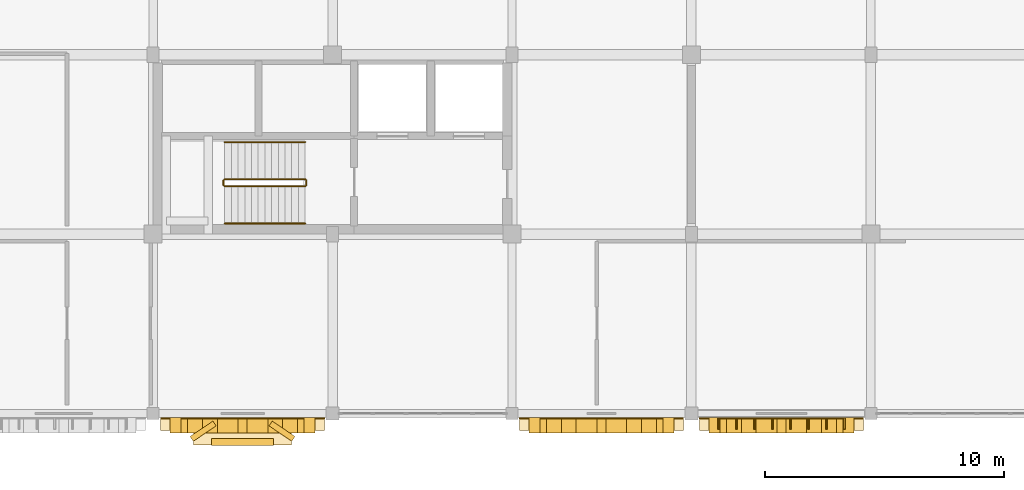
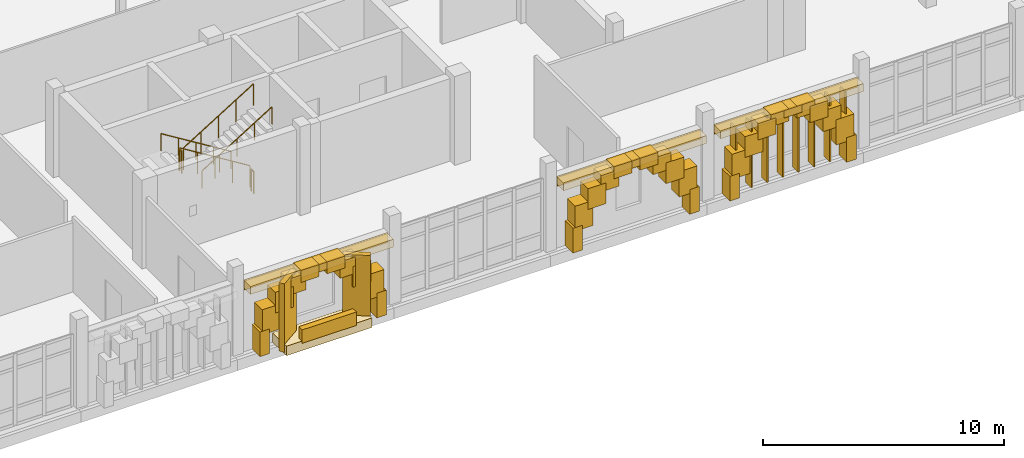
# One storey, part 122 of 128: 43 coverings, 8 shading devices, 6 railings.
"""IFC4 building model written with IfcOpenShell, lengths in metres."""

from ifc_helpers import new_model, si_unit, direction, frame, origin, origin_2d, place, context, subcontext, project, spatial, rectangle, circle, extrude, material, layer, layer_set, type_object, element, save


model = new_model("IFC4")

# Units and contexts
model_context = context("Model", 3, precision=1e-05, world=origin(), true_north=direction((0.0, 1.0)))
body_context = subcontext(model_context, "Body", "Model", "MODEL_VIEW")
ifc_project = project(units=[si_unit("LENGTHUNIT", "METRE"), si_unit("AREAUNIT", "SQUARE_METRE"), si_unit("VOLUMEUNIT", "CUBIC_METRE"), si_unit("PLANEANGLEUNIT", "RADIAN"), si_unit("MASSUNIT", "GRAM", prefix="KILO")], contexts=[model_context])

# Site, building, storey
site_placement = place(None, origin())
site = spatial("IfcSite", under=ifc_project, at=site_placement, CompositionType="ELEMENT")
building_placement = place(site_placement, origin())
building = spatial("IfcBuilding", under=site, at=building_placement, Name="Dalvernix Boulevard General Hospital", CompositionType="ELEMENT")
storey_placement = place(building_placement, frame((0.0, 0.0, 4.800048828125)))
storey = spatial("IfcBuildingStorey", under=building, at=storey_placement, Name="L01", CompositionType="ELEMENT", Elevation=4.800048828125)

# Coverings
ifc_material_1 = material(Name="Pressed Catalan clay brick and dressed limestone parabolic archivolt", Category="masonry")
ifc_layer_1 = layer(ifc_material_1, 0.419921875)
ifc_layer_set_1 = layer_set([ifc_layer_1], Name="Pressed Catalan clay brick and dressed limestone parabolic archivolt (COV-ARC-01)")
covering_type_1 = type_object("IfcCoveringType", Name="COV-ARC-01", PredefinedType="CLADDING", material=ifc_layer_set_1)
for number, where, z_axis, x_axis, name in (
    (1, (134.03759765625, -0.485107421875, 0.0), (0.0, 0.0, 1.0), (-1.0, 0.0, 0.0), "L01 Catalan parabolic arch impost pier S 17-0-L"),
    (2, (128.4375, -0.485107421875, 0.0), (0.0, 0.0, 1.0), (-1.0, 0.0, 0.0), "L01 Catalan parabolic arch impost pier S 17-0-R"),
):
    element("IfcCovering", number, at=place(storey_placement, frame(where, z_axis=z_axis, x_axis=x_axis)), inside=storey, type_object=covering_type_1, Name=name, PredefinedType="CLADDING", context=body_context, shape_type="SweptSolid", body=[
        extrude(rectangle(XDim=0.4599609375, YDim=0.659912109375, at=origin_2d()), origin(), (0.0, 0.0, 1.0), 1.25),
    ])
covering_1_placement = place(storey_placement, frame((133.726318359375, -0.485107421875, 1.06005859375), z_axis=(0.0, 0.0, 1.0), x_axis=(-1.0, 0.0, 0.0)))
element("IfcCovering", 3, at=covering_1_placement, inside=storey, type_object=covering_type_1, Name="L01 Catalan parabolic archivolt voussoir S 17-0-1", PredefinedType="CLADDING", context=body_context, shape_type="SweptSolid", body=[
    extrude(rectangle(XDim=0.8623046875, YDim=0.659912109375, at=origin_2d()), origin(), (0.0, 0.0, 1.0), 1.272705078125),
])
covering_2_placement = place(storey_placement, frame((133.104248046875, -0.485107421875, 1.95263671875), z_axis=(0.0, 0.0, 1.0), x_axis=(-1.0, 0.0, 0.0)))
element("IfcCovering", 4, at=covering_2_placement, inside=storey, type_object=covering_type_1, Name="L01 Catalan parabolic archivolt voussoir S 17-0-2", PredefinedType="CLADDING", context=body_context, shape_type="SweptSolid", body=[
    extrude(rectangle(XDim=0.8623046875, YDim=0.659912109375, at=origin_2d()), origin(), (0.0, 0.0, 1.0), 1.049560546875),
])
covering_3_placement = place(storey_placement, frame((132.48193359375, -0.485107421875, 2.62255859375), z_axis=(0.0, 0.0, 1.0), x_axis=(-1.0, 0.0, 0.0)))
element("IfcCovering", 5, at=covering_3_placement, inside=storey, type_object=covering_type_1, Name="L01 Catalan parabolic archivolt voussoir S 17-0-3", PredefinedType="CLADDING", context=body_context, shape_type="SweptSolid", body=[
    extrude(rectangle(XDim=0.8623046875, YDim=0.659912109375, at=origin_2d()), origin(), (0.0, 0.0, 1.0), 0.826416015625),
])
covering_4_placement = place(storey_placement, frame((131.859619140625, -0.485107421875, 3.06884765625), z_axis=(0.0, 0.0, 1.0), x_axis=(-1.0, 0.0, 0.0)))
element("IfcCovering", 6, at=covering_4_placement, inside=storey, type_object=covering_type_1, Name="L01 Catalan parabolic archivolt voussoir S 17-0-4", PredefinedType="CLADDING", context=body_context, shape_type="SweptSolid", body=[
    extrude(rectangle(XDim=0.8623046875, YDim=0.659912109375, at=origin_2d()), origin(), (0.0, 0.0, 1.0), 0.603271484375),
])
covering_5_placement = place(storey_placement, frame((131.237548828125, -0.485107421875, 3.2919921875), z_axis=(0.0, 0.0, 1.0), x_axis=(-1.0, 0.0, 0.0)))
element("IfcCovering", 7, at=covering_5_placement, inside=storey, type_object=covering_type_1, Name="L01 Catalan parabolic archivolt voussoir S 17-0-5", PredefinedType="CLADDING", context=body_context, shape_type="SweptSolid", body=[
    extrude(rectangle(XDim=0.8623046875, YDim=0.659912109375, at=origin_2d()), origin(), (0.0, 0.0, 1.0), 0.3798828125),
])
covering_6_placement = place(storey_placement, frame((130.615234375, -0.485107421875, 3.06884765625), z_axis=(0.0, 0.0, 1.0), x_axis=(-1.0, 0.0, 0.0)))
element("IfcCovering", 8, at=covering_6_placement, inside=storey, type_object=covering_type_1, Name="L01 Catalan parabolic archivolt voussoir S 17-0-6", PredefinedType="CLADDING", context=body_context, shape_type="SweptSolid", body=[
    extrude(rectangle(XDim=0.8623046875, YDim=0.659912109375, at=origin_2d()), origin(), (0.0, 0.0, 1.0), 0.603271484375),
])
covering_7_placement = place(storey_placement, frame((129.9931640625, -0.485107421875, 2.62255859375), z_axis=(0.0, 0.0, 1.0), x_axis=(-1.0, 0.0, 0.0)))
element("IfcCovering", 9, at=covering_7_placement, inside=storey, type_object=covering_type_1, Name="L01 Catalan parabolic archivolt voussoir S 17-0-7", PredefinedType="CLADDING", context=body_context, shape_type="SweptSolid", body=[
    extrude(rectangle(XDim=0.8623046875, YDim=0.659912109375, at=origin_2d()), origin(), (0.0, 0.0, 1.0), 0.826416015625),
])
covering_8_placement = place(storey_placement, frame((129.370849609375, -0.485107421875, 1.95263671875), z_axis=(0.0, 0.0, 1.0), x_axis=(-1.0, 0.0, 0.0)))
element("IfcCovering", 10, at=covering_8_placement, inside=storey, type_object=covering_type_1, Name="L01 Catalan parabolic archivolt voussoir S 17-0-8", PredefinedType="CLADDING", context=body_context, shape_type="SweptSolid", body=[
    extrude(rectangle(XDim=0.8623046875, YDim=0.659912109375, at=origin_2d()), origin(), (0.0, 0.0, 1.0), 1.049560546875),
])
covering_9_placement = place(storey_placement, frame((128.74853515625, -0.485107421875, 1.06005859375), z_axis=(0.0, 0.0, 1.0), x_axis=(-1.0, 0.0, 0.0)))
element("IfcCovering", 11, at=covering_9_placement, inside=storey, type_object=covering_type_1, Name="L01 Catalan parabolic archivolt voussoir S 17-0-9", PredefinedType="CLADDING", context=body_context, shape_type="SweptSolid", body=[
    extrude(rectangle(XDim=0.8623046875, YDim=0.659912109375, at=origin_2d()), origin(), (0.0, 0.0, 1.0), 1.272705078125),
])
for number, where, z_axis, x_axis, name in (
    (12, (149.03759765625, -0.485107421875, 0.0), (0.0, 0.0, 1.0), (-1.0, 0.0, 0.0), "L01 Catalan parabolic arch impost pier S 19-0-L"),
    (13, (143.4375, -0.485107421875, 0.0), (0.0, 0.0, 1.0), (-1.0, 0.0, 0.0), "L01 Catalan parabolic arch impost pier S 19-0-R"),
):
    element("IfcCovering", number, at=place(storey_placement, frame(where, z_axis=z_axis, x_axis=x_axis)), inside=storey, type_object=covering_type_1, Name=name, PredefinedType="CLADDING", context=body_context, shape_type="SweptSolid", body=[
        extrude(rectangle(XDim=0.4599609375, YDim=0.659912109375, at=origin_2d()), origin(), (0.0, 0.0, 1.0), 1.25),
    ])
covering_10_placement = place(storey_placement, frame((148.726318359375, -0.485107421875, 1.06005859375), z_axis=(0.0, 0.0, 1.0), x_axis=(-1.0, 0.0, 0.0)))
element("IfcCovering", 14, at=covering_10_placement, inside=storey, type_object=covering_type_1, Name="L01 Catalan parabolic archivolt voussoir S 19-0-1", PredefinedType="CLADDING", context=body_context, shape_type="SweptSolid", body=[
    extrude(rectangle(XDim=0.8623046875, YDim=0.659912109375, at=origin_2d()), origin(), (0.0, 0.0, 1.0), 1.272705078125),
])
covering_11_placement = place(storey_placement, frame((148.104248046875, -0.485107421875, 1.95263671875), z_axis=(0.0, 0.0, 1.0), x_axis=(-1.0, 0.0, 0.0)))
element("IfcCovering", 15, at=covering_11_placement, inside=storey, type_object=covering_type_1, Name="L01 Catalan parabolic archivolt voussoir S 19-0-2", PredefinedType="CLADDING", context=body_context, shape_type="SweptSolid", body=[
    extrude(rectangle(XDim=0.8623046875, YDim=0.659912109375, at=origin_2d()), origin(), (0.0, 0.0, 1.0), 1.049560546875),
])
covering_12_placement = place(storey_placement, frame((147.48193359375, -0.485107421875, 2.62255859375), z_axis=(0.0, 0.0, 1.0), x_axis=(-1.0, 0.0, 0.0)))
element("IfcCovering", 16, at=covering_12_placement, inside=storey, type_object=covering_type_1, Name="L01 Catalan parabolic archivolt voussoir S 19-0-3", PredefinedType="CLADDING", context=body_context, shape_type="SweptSolid", body=[
    extrude(rectangle(XDim=0.8623046875, YDim=0.659912109375, at=origin_2d()), origin(), (0.0, 0.0, 1.0), 0.826416015625),
])
covering_13_placement = place(storey_placement, frame((146.859619140625, -0.485107421875, 3.06884765625), z_axis=(0.0, 0.0, 1.0), x_axis=(-1.0, 0.0, 0.0)))
element("IfcCovering", 17, at=covering_13_placement, inside=storey, type_object=covering_type_1, Name="L01 Catalan parabolic archivolt voussoir S 19-0-4", PredefinedType="CLADDING", context=body_context, shape_type="SweptSolid", body=[
    extrude(rectangle(XDim=0.8623046875, YDim=0.659912109375, at=origin_2d()), origin(), (0.0, 0.0, 1.0), 0.603271484375),
])
covering_14_placement = place(storey_placement, frame((146.237548828125, -0.485107421875, 3.2919921875), z_axis=(0.0, 0.0, 1.0), x_axis=(-1.0, 0.0, 0.0)))
element("IfcCovering", 18, at=covering_14_placement, inside=storey, type_object=covering_type_1, Name="L01 Catalan parabolic archivolt voussoir S 19-0-5", PredefinedType="CLADDING", context=body_context, shape_type="SweptSolid", body=[
    extrude(rectangle(XDim=0.8623046875, YDim=0.659912109375, at=origin_2d()), origin(), (0.0, 0.0, 1.0), 0.3798828125),
])
covering_15_placement = place(storey_placement, frame((145.615234375, -0.485107421875, 3.06884765625), z_axis=(0.0, 0.0, 1.0), x_axis=(-1.0, 0.0, 0.0)))
element("IfcCovering", 19, at=covering_15_placement, inside=storey, type_object=covering_type_1, Name="L01 Catalan parabolic archivolt voussoir S 19-0-6", PredefinedType="CLADDING", context=body_context, shape_type="SweptSolid", body=[
    extrude(rectangle(XDim=0.8623046875, YDim=0.659912109375, at=origin_2d()), origin(), (0.0, 0.0, 1.0), 0.603271484375),
])
covering_16_placement = place(storey_placement, frame((144.9931640625, -0.485107421875, 2.62255859375), z_axis=(0.0, 0.0, 1.0), x_axis=(-1.0, 0.0, 0.0)))
element("IfcCovering", 20, at=covering_16_placement, inside=storey, type_object=covering_type_1, Name="L01 Catalan parabolic archivolt voussoir S 19-0-7", PredefinedType="CLADDING", context=body_context, shape_type="SweptSolid", body=[
    extrude(rectangle(XDim=0.8623046875, YDim=0.659912109375, at=origin_2d()), origin(), (0.0, 0.0, 1.0), 0.826416015625),
])
covering_17_placement = place(storey_placement, frame((144.370849609375, -0.485107421875, 1.95263671875), z_axis=(0.0, 0.0, 1.0), x_axis=(-1.0, 0.0, 0.0)))
element("IfcCovering", 21, at=covering_17_placement, inside=storey, type_object=covering_type_1, Name="L01 Catalan parabolic archivolt voussoir S 19-0-8", PredefinedType="CLADDING", context=body_context, shape_type="SweptSolid", body=[
    extrude(rectangle(XDim=0.8623046875, YDim=0.659912109375, at=origin_2d()), origin(), (0.0, 0.0, 1.0), 1.049560546875),
])
covering_18_placement = place(storey_placement, frame((143.74853515625, -0.485107421875, 1.06005859375), z_axis=(0.0, 0.0, 1.0), x_axis=(-1.0, 0.0, 0.0)))
element("IfcCovering", 22, at=covering_18_placement, inside=storey, type_object=covering_type_1, Name="L01 Catalan parabolic archivolt voussoir S 19-0-9", PredefinedType="CLADDING", context=body_context, shape_type="SweptSolid", body=[
    extrude(rectangle(XDim=0.8623046875, YDim=0.659912109375, at=origin_2d()), origin(), (0.0, 0.0, 1.0), 1.272705078125),
])
for number, where, z_axis, x_axis, name in (
    (23, (156.5625, -0.485107421875, 0.0), (0.0, 0.0, 1.0), (-1.0, 0.0, 0.0), "L01 Catalan parabolic arch impost pier S 20-0-L"),
    (24, (150.96240234375, -0.485107421875, 0.0), (0.0, 0.0, 1.0), (-1.0, 0.0, 0.0), "L01 Catalan parabolic arch impost pier S 20-0-R"),
):
    element("IfcCovering", number, at=place(storey_placement, frame(where, z_axis=z_axis, x_axis=x_axis)), inside=storey, type_object=covering_type_1, Name=name, PredefinedType="CLADDING", context=body_context, shape_type="SweptSolid", body=[
        extrude(rectangle(XDim=0.4599609375, YDim=0.659912109375, at=origin_2d()), origin(), (0.0, 0.0, 1.0), 1.25),
    ])
covering_19_placement = place(storey_placement, frame((156.25146484375, -0.485107421875, 1.06005859375), z_axis=(0.0, 0.0, 1.0), x_axis=(-1.0, 0.0, 0.0)))
element("IfcCovering", 25, at=covering_19_placement, inside=storey, type_object=covering_type_1, Name="L01 Catalan parabolic archivolt voussoir S 20-0-1", PredefinedType="CLADDING", context=body_context, shape_type="SweptSolid", body=[
    extrude(rectangle(XDim=0.8623046875, YDim=0.659912109375, at=origin_2d()), origin(), (0.0, 0.0, 1.0), 1.272705078125),
])
covering_20_placement = place(storey_placement, frame((155.629150390625, -0.485107421875, 1.95263671875), z_axis=(0.0, 0.0, 1.0), x_axis=(-1.0, 0.0, 0.0)))
element("IfcCovering", 26, at=covering_20_placement, inside=storey, type_object=covering_type_1, Name="L01 Catalan parabolic archivolt voussoir S 20-0-2", PredefinedType="CLADDING", context=body_context, shape_type="SweptSolid", body=[
    extrude(rectangle(XDim=0.8623046875, YDim=0.659912109375, at=origin_2d()), origin(), (0.0, 0.0, 1.0), 1.049560546875),
])
covering_21_placement = place(storey_placement, frame((155.0068359375, -0.485107421875, 2.62255859375), z_axis=(0.0, 0.0, 1.0), x_axis=(-1.0, 0.0, 0.0)))
element("IfcCovering", 27, at=covering_21_placement, inside=storey, type_object=covering_type_1, Name="L01 Catalan parabolic archivolt voussoir S 20-0-3", PredefinedType="CLADDING", context=body_context, shape_type="SweptSolid", body=[
    extrude(rectangle(XDim=0.8623046875, YDim=0.659912109375, at=origin_2d()), origin(), (0.0, 0.0, 1.0), 0.826416015625),
])
covering_22_placement = place(storey_placement, frame((154.384765625, -0.485107421875, 3.06884765625), z_axis=(0.0, 0.0, 1.0), x_axis=(-1.0, 0.0, 0.0)))
element("IfcCovering", 28, at=covering_22_placement, inside=storey, type_object=covering_type_1, Name="L01 Catalan parabolic archivolt voussoir S 20-0-4", PredefinedType="CLADDING", context=body_context, shape_type="SweptSolid", body=[
    extrude(rectangle(XDim=0.8623046875, YDim=0.659912109375, at=origin_2d()), origin(), (0.0, 0.0, 1.0), 0.603271484375),
])
covering_23_placement = place(storey_placement, frame((153.762451171875, -0.485107421875, 3.2919921875), z_axis=(0.0, 0.0, 1.0), x_axis=(-1.0, 0.0, 0.0)))
element("IfcCovering", 29, at=covering_23_placement, inside=storey, type_object=covering_type_1, Name="L01 Catalan parabolic archivolt voussoir S 20-0-5", PredefinedType="CLADDING", context=body_context, shape_type="SweptSolid", body=[
    extrude(rectangle(XDim=0.8623046875, YDim=0.659912109375, at=origin_2d()), origin(), (0.0, 0.0, 1.0), 0.3798828125),
])
covering_24_placement = place(storey_placement, frame((153.140380859375, -0.485107421875, 3.06884765625), z_axis=(0.0, 0.0, 1.0), x_axis=(-1.0, 0.0, 0.0)))
element("IfcCovering", 30, at=covering_24_placement, inside=storey, type_object=covering_type_1, Name="L01 Catalan parabolic archivolt voussoir S 20-0-6", PredefinedType="CLADDING", context=body_context, shape_type="SweptSolid", body=[
    extrude(rectangle(XDim=0.8623046875, YDim=0.659912109375, at=origin_2d()), origin(), (0.0, 0.0, 1.0), 0.603271484375),
])
covering_25_placement = place(storey_placement, frame((152.51806640625, -0.485107421875, 2.62255859375), z_axis=(0.0, 0.0, 1.0), x_axis=(-1.0, 0.0, 0.0)))
element("IfcCovering", 31, at=covering_25_placement, inside=storey, type_object=covering_type_1, Name="L01 Catalan parabolic archivolt voussoir S 20-0-7", PredefinedType="CLADDING", context=body_context, shape_type="SweptSolid", body=[
    extrude(rectangle(XDim=0.8623046875, YDim=0.659912109375, at=origin_2d()), origin(), (0.0, 0.0, 1.0), 0.826416015625),
])
covering_26_placement = place(storey_placement, frame((151.895751953125, -0.485107421875, 1.95263671875), z_axis=(0.0, 0.0, 1.0), x_axis=(-1.0, 0.0, 0.0)))
element("IfcCovering", 32, at=covering_26_placement, inside=storey, type_object=covering_type_1, Name="L01 Catalan parabolic archivolt voussoir S 20-0-8", PredefinedType="CLADDING", context=body_context, shape_type="SweptSolid", body=[
    extrude(rectangle(XDim=0.8623046875, YDim=0.659912109375, at=origin_2d()), origin(), (0.0, 0.0, 1.0), 1.049560546875),
])
covering_27_placement = place(storey_placement, frame((151.273681640625, -0.485107421875, 1.06005859375), z_axis=(0.0, 0.0, 1.0), x_axis=(-1.0, 0.0, 0.0)))
element("IfcCovering", 33, at=covering_27_placement, inside=storey, type_object=covering_type_1, Name="L01 Catalan parabolic archivolt voussoir S 20-0-9", PredefinedType="CLADDING", context=body_context, shape_type="SweptSolid", body=[
    extrude(rectangle(XDim=0.8623046875, YDim=0.659912109375, at=origin_2d()), origin(), (0.0, 0.0, 1.0), 1.272705078125),
])
ifc_material_2 = material(Name="Polychrome glazed Catalan trencadis ceramic faceted bay spandrel")
ifc_layer_2 = layer(ifc_material_2, 0.280029296875)
ifc_layer_set_2 = layer_set([ifc_layer_2], Name="Polychrome glazed Catalan trencadis ceramic faceted bay spandrel (COV-BAY-01)")
covering_type_2 = type_object("IfcCoveringType", Name="COV-BAY-01", PredefinedType="CLADDING", material=ifc_layer_set_2)
covering_28_placement = place(storey_placement, frame((131.237548828125, -1.18505859375, 0.3798828125), z_axis=(0.0, 0.0, 1.0), x_axis=(-1.0, 0.0, 0.0)))
element("IfcCovering", 34, at=covering_28_placement, inside=storey, type_object=covering_type_2, Name="L01 projecting faceted trencadis bay spandrel S 17-0", PredefinedType="CLADDING", context=body_context, shape_type="SweptSolid", body=[
    extrude(rectangle(XDim=2.60009765625, YDim=0.280029296875, at=origin_2d()), origin(), (0.0, 0.0, 1.0), 0.679931640625),
])
for number, where, z_axis, x_axis, name in (
    (35, (132.887451171875, -0.735107421875, 0.080078125), (0.0, 0.0, 1.0), (-0.829037572555, 0.559192903471, 0.0), "L01 projecting faceted Catalan bay cheek S 17-0-L"),
    (36, (129.58740234375, -0.735107421875, 0.080078125), (0.0, 0.0, 1.0), (-0.829037572555, -0.559192903471, 0.0), "L01 projecting faceted Catalan bay cheek S 17-0-R"),
):
    element("IfcCovering", number, at=place(storey_placement, frame(where, z_axis=z_axis, x_axis=x_axis)), inside=storey, type_object=covering_type_2, Name=name, PredefinedType="CLADDING", context=body_context, shape_type="SweptSolid", body=[
        extrude(rectangle(XDim=1.14990234375, YDim=0.239990234375, at=origin_2d()), origin(), (0.0, 0.0, 1.0), 3.469970703125),
    ])
ifc_material_3 = material(Name="Polychrome Catalan glazed ceramic spandrel tile panel")
ifc_layer_3 = layer(ifc_material_3, 0.044921875)
ifc_layer_set_3 = layer_set([ifc_layer_3], Name="Polychrome Catalan glazed ceramic spandrel tile panel (COV-CLD-01)")
covering_type_3 = type_object("IfcCoveringType", Name="COV-CLD-01", PredefinedType="CLADDING", material=ifc_layer_set_3)
for number, where, z_axis, x_axis, name in (
    (37, (131.237548828125, -0.195068359375, 3.15478515625), (0.0, 0.0, 1.0), (-1.0, 0.0, 0.0), "L01 polychrome ceramic spandrel S 17-0"),
    (38, (146.237548828125, -0.195068359375, 3.15478515625), (0.0, 0.0, 1.0), (-1.0, 0.0, 0.0), "L01 polychrome ceramic spandrel S 19-0"),
    (39, (153.762451171875, -0.195068359375, 3.15478515625), (0.0, 0.0, 1.0), (-1.0, 0.0, 0.0), "L01 polychrome ceramic spandrel S 20-0"),
):
    element("IfcCovering", number, at=place(storey_placement, frame(where, z_axis=z_axis, x_axis=x_axis)), inside=storey, type_object=covering_type_3, Name=name, PredefinedType="CLADDING", context=body_context, shape_type="SweptSolid", body=[
        extrude(rectangle(XDim=6.85498046875, YDim=0.044921875, at=origin_2d()), origin(), (0.0, 0.0, 1.0), 0.449951171875),
    ])
ifc_material_4 = material(Name="Dressed ochre limestone classical plinth, stringcourse and corbelled cornice", Category="masonry")
ifc_layer_4 = layer(ifc_material_4, 0.449951171875)
ifc_layer_set_4 = layer_set([ifc_layer_4], Name="Dressed ochre limestone classical plinth, stringcourse and corbelled cornice (COV-CRN-01)")
covering_type_4 = type_object("IfcCoveringType", Name="COV-CRN-01", PredefinedType="CLADDING", material=ifc_layer_set_4)
covering_29_placement = place(storey_placement, frame((131.237548828125, -0.43505859375, 3.22998046875), z_axis=(0.0, 0.0, 1.0), x_axis=(-1.0, 0.0, 0.0)))
element("IfcCovering", 40, at=covering_29_placement, inside=storey, type_object=covering_type_4, Name="L01 classical corbelled cornice frieze S 17-0", PredefinedType="CLADDING", context=body_context, shape_type="SweptSolid", body=[
    extrude(rectangle(XDim=6.85498046875, YDim=0.56005859375, at=origin_2d()), origin(), (0.0, 0.0, 1.0), 0.39990234375),
])
covering_30_placement = place(storey_placement, frame((131.237548828125, -0.72998046875, 0.0), z_axis=(0.0, 0.0, 1.0), x_axis=(-1.0, 0.0, 0.0)))
element("IfcCovering", 41, at=covering_30_placement, inside=storey, type_object=covering_type_4, Name="L01 projecting Catalan bay corbel base S 17-0", PredefinedType="CLADDING", context=body_context, shape_type="SweptSolid", body=[
    extrude(rectangle(XDim=4.10009765625, YDim=1.14990234375, at=origin_2d()), origin(), (0.0, 0.0, 1.0), 0.47998046875),
])
for number, where, z_axis, x_axis, name in (
    (42, (146.237548828125, -0.43505859375, 3.22998046875), (0.0, 0.0, 1.0), (-1.0, 0.0, 0.0), "L01 classical corbelled cornice frieze S 19-0"),
    (43, (153.762451171875, -0.43505859375, 3.22998046875), (0.0, 0.0, 1.0), (-1.0, 0.0, 0.0), "L01 classical corbelled cornice frieze S 20-0"),
):
    element("IfcCovering", number, at=place(storey_placement, frame(where, z_axis=z_axis, x_axis=x_axis)), inside=storey, type_object=covering_type_4, Name=name, PredefinedType="CLADDING", context=body_context, shape_type="SweptSolid", body=[
        extrude(rectangle(XDim=6.85498046875, YDim=0.56005859375, at=origin_2d()), origin(), (0.0, 0.0, 1.0), 0.39990234375),
    ])

# Railings
ifc_material_5 = material(Name="Brushed stainless steel balustrade", Category="steel")
railing_type_1 = type_object("IfcRailingType", Name="RL-GR-INT1", PredefinedType="BALUSTRADE", material=ifc_material_5)
railing_1_placement = place(storey_placement, frame((133.85009765625, 9.800048828125, 0.173095703125)))
element("IfcRailing", 44, at=railing_1_placement, inside=storey, type_object=railing_type_1, Name="L01 ST-05 stair guard 1", PredefinedType="BALUSTRADE", context=body_context, shape_type="SweptSolid", body=[
    extrude(circle(Radius=0.02392578125, at=origin_2d()), frame((0.0, 0.0, 1.09619140625), z_axis=(-0.850623216509, 0.0, 0.525775754039), x_axis=(0.0, -1.0, 0.0)), (0.0, 0.0, 1.0), 3.9501953125),
    extrude(circle(Radius=0.02099609375, at=origin_2d()), origin(), (0.0, 0.0, 1.0), 1.072021484375),
    extrude(circle(Radius=0.02099609375, at=origin_2d()), frame((-0.840087890625, 0.0, 0.519287109375)), (0.0, 0.0, 1.0), 1.072021484375),
    extrude(circle(Radius=0.02099609375, at=origin_2d()), frame((-1.68017578125, 0.0, 1.03857421875)), (0.0, 0.0, 1.0), 1.072021484375),
    extrude(circle(Radius=0.02099609375, at=origin_2d()), frame((-2.52001953125, 0.0, 1.5576171875)), (0.0, 0.0, 1.0), 1.072021484375),
    extrude(circle(Radius=0.02099609375, at=origin_2d()), frame((-3.360107421875, 0.0, 2.076904296875)), (0.0, 0.0, 1.0), 1.072021484375),
])
railing_2_placement = place(storey_placement, frame((130.43994140625, 9.75, 2.25)))
element("IfcRailing", 45, at=railing_2_placement, inside=storey, type_object=railing_type_1, Name="L01 ST-05 stair guard 2", PredefinedType="BALUSTRADE", context=body_context, shape_type="SweptSolid", body=[
    extrude(circle(Radius=0.02392578125, at=origin_2d()), frame((0.0, 0.0, 1.09619140625), z_axis=(0.0, -1.0, 0.0), x_axis=(1.0, 0.0, 0.0)), (0.0, 0.0, 1.0), 0.199951171875),
    extrude(circle(Radius=0.02099609375, at=origin_2d()), origin(), (0.0, 0.0, 1.0), 1.072021484375),
    extrude(circle(Radius=0.02099609375, at=origin_2d()), frame((0.0, -0.199951171875, 0.0)), (0.0, 0.0, 1.0), 1.072021484375),
])
railing_3_placement = place(storey_placement, frame((130.489990234375, 9.5, 2.423095703125)))
element("IfcRailing", 46, at=railing_3_placement, inside=storey, type_object=railing_type_1, Name="L01 ST-05 stair guard 3", PredefinedType="BALUSTRADE", context=body_context, shape_type="SweptSolid", body=[
    extrude(circle(Radius=0.02392578125, at=origin_2d()), frame((0.0, 0.0, 1.09619140625), z_axis=(0.850623216509, 0.0, 0.525775754039), x_axis=(0.0, 1.0, 0.0)), (0.0, 0.0, 1.0), 3.9501953125),
    extrude(circle(Radius=0.02099609375, at=origin_2d()), origin(), (0.0, 0.0, 1.0), 1.072021484375),
    extrude(circle(Radius=0.02099609375, at=origin_2d()), frame((0.840087890625, 0.0, 0.519287109375)), (0.0, 0.0, 1.0), 1.072021484375),
    extrude(circle(Radius=0.02099609375, at=origin_2d()), frame((1.68017578125, 0.0, 1.03857421875)), (0.0, 0.0, 1.0), 1.072021484375),
    extrude(circle(Radius=0.02099609375, at=origin_2d()), frame((2.52001953125, 0.0, 1.5576171875)), (0.0, 0.0, 1.0), 1.072021484375),
    extrude(circle(Radius=0.02099609375, at=origin_2d()), frame((3.360107421875, 0.0, 2.076904296875)), (0.0, 0.0, 1.0), 1.072021484375),
])
railing_4_placement = place(storey_placement, frame((133.89990234375, 9.75, 0.0)))
element("IfcRailing", 47, at=railing_4_placement, inside=storey, type_object=railing_type_1, Name="L01 ST-05 stair guard 4", PredefinedType="BALUSTRADE", context=body_context, shape_type="SweptSolid", body=[
    extrude(circle(Radius=0.02392578125, at=origin_2d()), frame((0.0, 0.0, 1.09619140625), z_axis=(0.0, -1.0, 0.0), x_axis=(1.0, 0.0, 0.0)), (0.0, 0.0, 1.0), 0.199951171875),
    extrude(circle(Radius=0.02099609375, at=origin_2d()), origin(), (0.0, 0.0, 1.0), 1.072021484375),
    extrude(circle(Radius=0.02099609375, at=origin_2d()), frame((0.0, -0.199951171875, 0.0)), (0.0, 0.0, 1.0), 1.072021484375),
])
ifc_material_6 = material(Name="Brushed stainless steel wall handrail", Category="steel")
railing_type_2 = type_object("IfcRailingType", Name="RL-HR-INT1", PredefinedType="HANDRAIL", material=ifc_material_6)
railing_5_placement = place(storey_placement, frame((133.85009765625, 11.35009765625, 0.173095703125)))
element("IfcRailing", 48, at=railing_5_placement, inside=storey, type_object=railing_type_2, Name="L01 ST-05 stair handrail 1", PredefinedType="HANDRAIL", context=body_context, shape_type="SweptSolid", body=[
    extrude(circle(Radius=0.02392578125, at=origin_2d()), frame((0.0, 0.0, 0.8759765625), z_axis=(-0.850623216509, 0.0, 0.525775754039), x_axis=(0.0, -1.0, 0.0)), (0.0, 0.0, 1.0), 3.9501953125),
    extrude(circle(Radius=0.02099609375, at=origin_2d()), origin(), (0.0, 0.0, 1.0), 0.851806640625),
    extrude(circle(Radius=0.02099609375, at=origin_2d()), frame((-0.840087890625, 0.0, 0.519287109375)), (0.0, 0.0, 1.0), 0.851806640625),
    extrude(circle(Radius=0.02099609375, at=origin_2d()), frame((-1.68017578125, 0.0, 1.03857421875)), (0.0, 0.0, 1.0), 0.851806640625),
    extrude(circle(Radius=0.02099609375, at=origin_2d()), frame((-2.52001953125, 0.0, 1.5576171875)), (0.0, 0.0, 1.0), 0.851806640625),
    extrude(circle(Radius=0.02099609375, at=origin_2d()), frame((-3.360107421875, 0.0, 2.076904296875)), (0.0, 0.0, 1.0), 0.851806640625),
])
railing_6_placement = place(storey_placement, frame((130.489990234375, 7.949951171875, 2.423095703125)))
element("IfcRailing", 49, at=railing_6_placement, inside=storey, type_object=railing_type_2, Name="L01 ST-05 stair handrail 2", PredefinedType="HANDRAIL", context=body_context, shape_type="SweptSolid", body=[
    extrude(circle(Radius=0.02392578125, at=origin_2d()), frame((0.0, 0.0, 0.8759765625), z_axis=(0.850623216509, 0.0, 0.525775754039), x_axis=(0.0, 1.0, 0.0)), (0.0, 0.0, 1.0), 3.9501953125),
    extrude(circle(Radius=0.02099609375, at=origin_2d()), origin(), (0.0, 0.0, 1.0), 0.851806640625),
    extrude(circle(Radius=0.02099609375, at=origin_2d()), frame((0.840087890625, 0.0, 0.519287109375)), (0.0, 0.0, 1.0), 0.851806640625),
    extrude(circle(Radius=0.02099609375, at=origin_2d()), frame((1.68017578125, 0.0, 1.03857421875)), (0.0, 0.0, 1.0), 0.851806640625),
    extrude(circle(Radius=0.02099609375, at=origin_2d()), frame((2.52001953125, 0.0, 1.5576171875)), (0.0, 0.0, 1.0), 0.851806640625),
    extrude(circle(Radius=0.02099609375, at=origin_2d()), frame((3.360107421875, 0.0, 2.076904296875)), (0.0, 0.0, 1.0), 0.851806640625),
])

# Shading devices
ifc_material_7 = material(Name="Preservative-treated West African iroko timber", Category="wood")
shading_device_type = type_object("IfcShadingDeviceType", Name="SHD-FIN-01", PredefinedType="USERDEFINED", material=ifc_material_7)
for number, where, z_axis, x_axis, name in (
    (50, (156.387451171875, -0.405029296875, 0.1748046875), (0.0, 0.0, 1.0), (-1.0, 0.0, 0.0), "L01 iroko brise-soleil fin 1"),
    (51, (155.637451171875, -0.405029296875, 0.1748046875), (0.0, 0.0, 1.0), (-1.0, 0.0, 0.0), "L01 iroko brise-soleil fin 2"),
    (52, (154.887451171875, -0.405029296875, 0.1748046875), (0.0, 0.0, 1.0), (-1.0, 0.0, 0.0), "L01 iroko brise-soleil fin 3"),
    (53, (154.137451171875, -0.405029296875, 0.1748046875), (0.0, 0.0, 1.0), (-1.0, 0.0, 0.0), "L01 iroko brise-soleil fin 4"),
    (54, (153.387451171875, -0.405029296875, 0.1748046875), (0.0, 0.0, 1.0), (-1.0, 0.0, 0.0), "L01 iroko brise-soleil fin 5"),
    (55, (152.637451171875, -0.405029296875, 0.1748046875), (0.0, 0.0, 1.0), (-1.0, 0.0, 0.0), "L01 iroko brise-soleil fin 6"),
    (56, (151.887451171875, -0.405029296875, 0.1748046875), (0.0, 0.0, 1.0), (-1.0, 0.0, 0.0), "L01 iroko brise-soleil fin 7"),
    (57, (151.137451171875, -0.405029296875, 0.1748046875), (0.0, 0.0, 1.0), (-1.0, 0.0, 0.0), "L01 iroko brise-soleil fin 8"),
):
    element("IfcShadingDevice", number, at=place(storey_placement, frame(where, z_axis=z_axis, x_axis=x_axis)), inside=storey, type_object=shading_device_type, Name=name, ObjectType="FIN", PredefinedType="USERDEFINED", context=body_context, shape_type="SweptSolid", body=[
        extrude(rectangle(XDim=0.06494140625, YDim=0.47998046875, at=origin_2d()), origin(), (0.0, 0.0, 1.0), 3.280029296875),
    ])

save(model, "model.ifc")
